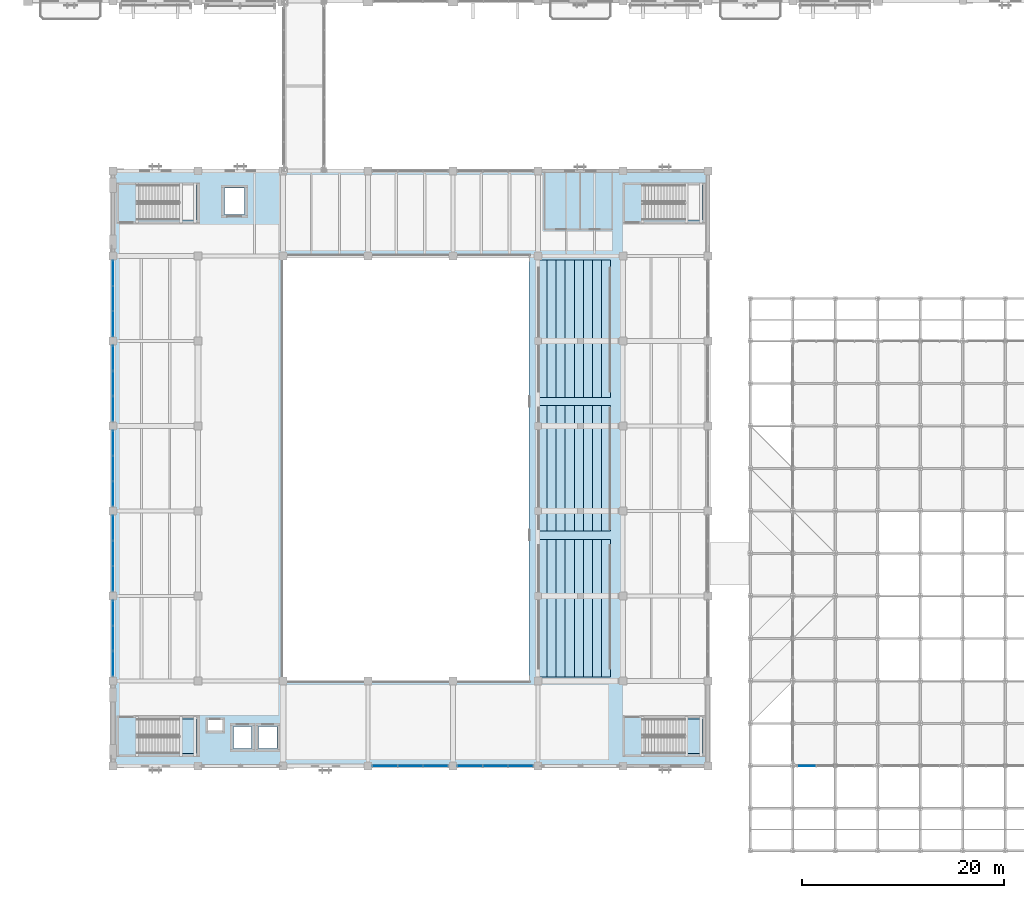
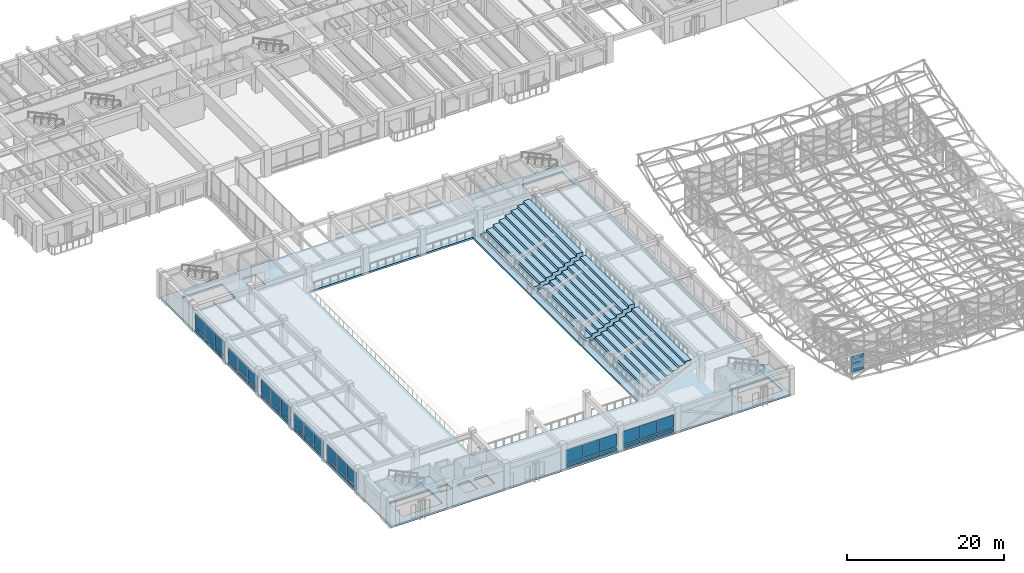
# One storey, part 61 of 132: 43 plates, 6 slabs, 10 elements without a shape of their own.
"""IFC4 building model written with IfcOpenShell, lengths in metres."""

from ifc_helpers import new_model, si_unit, direction, frame, origin, origin_2d, place, context, subcontext, project, spatial, polyline, rectangle, outline, extrude, material, layer, layer_set, type_object, element, aggregate, save


model = new_model("IFC4")

# Units and contexts
model_context = context("Model", 3, precision=1e-05, world=origin(), true_north=direction((0.0, 1.0)))
body_context = subcontext(model_context, "Body", "Model", "MODEL_VIEW")
ifc_project = project(units=[si_unit("LENGTHUNIT", "METRE"), si_unit("AREAUNIT", "SQUARE_METRE"), si_unit("VOLUMEUNIT", "CUBIC_METRE"), si_unit("PLANEANGLEUNIT", "RADIAN"), si_unit("MASSUNIT", "GRAM", prefix="KILO")], contexts=[model_context])

# Site, building, storey
site_placement = place(None, origin())
site = spatial("IfcSite", under=ifc_project, at=site_placement, CompositionType="ELEMENT")
building_placement = place(site_placement, origin())
building = spatial("IfcBuilding", under=site, at=building_placement, Name="Cumbredor Promenade Congress Hotel", CompositionType="ELEMENT")
storey_placement = place(building_placement, frame((0.0, 0.0, 7.56005859375)))
storey = spatial("IfcBuildingStorey", under=building, at=storey_placement, Name="L02", CompositionType="ELEMENT", Elevation=7.56005859375)

# Curtain wall, plate
ifc_material_1 = material(Name="Thermally broken anodized aluminium and low-E glass", Category="aluminium")
curtain_wall_type_1 = type_object("IfcCurtainWallType", Name="Stepped Pavilion Clerestory Curtain Wall CW-06", PredefinedType="NOTDEFINED", material=ifc_material_1)
curtain_wall_1_placement = place(storey_placement, origin())
curtain_wall_1 = element("IfcCurtainWall", 1, at=curtain_wall_1_placement, inside=storey, type_object=curtain_wall_type_1, Name="Thermal Spa and Hydrotherapy Pavilion S Glazed Clerestory 1", PredefinedType="NOTDEFINED")
ifc_material_2 = material(Name="Laminated low-E solar-control glass", Category="glass")
ifc_layer_1 = layer(ifc_material_2, 0.031982421875, Name="Laminated low-E solar-control glass", Category="glass")
ifc_layer_set_1 = layer_set([ifc_layer_1], Name="Laminated low-E solar-control glass")
plate_type_1 = type_object("IfcPlateType", Name="Clerestory Glazed Vision Panel PNL-07", PredefinedType="CURTAIN_PANEL", material=ifc_layer_set_1)
plate_1_placement = place(storey_placement, frame((76.969970703125, 8.39990234375, 0.169921875), z_axis=(0.0, 0.0, 1.0), x_axis=(1.0, 0.0, 0.0)))
plate_1 = element("IfcPlate", 2, at=plate_1_placement, type_object=plate_type_1, Name="Thermal Spa and Hydrotherapy Pavilion S Glazed Clerestory 1 Glazing Panel 1.1", PredefinedType="CURTAIN_PANEL", context=body_context, shape_type="SweptSolid", body=[
    extrude(rectangle(XDim=1.77490234375, YDim=0.031982421875, at=origin_2d()), origin(), (0.0, 0.0, 1.0), 2.489990234375),
])
aggregate(curtain_wall_1, [plate_1])

# Stair, slab
ifc_material_3 = material(Name="Concrete C40/50", Category="concrete")
stair_type = type_object("IfcStairType", Name="Protected Dog-Leg Exit Stair ST-T3 1650mm", PredefinedType="HALF_TURN_STAIR", material=ifc_material_3)
stair_1_placement = place(storey_placement, origin())
stair_1 = element("IfcStair", 3, at=stair_1_placement, inside=storey, type_object=stair_type, Name="L02 Protected Exit Stair ST-04", PredefinedType="HALF_TURN_STAIR")
ifc_layer_2 = layer(ifc_material_3, 0.199951171875, Name="Concrete C40/50", Category="concrete")
ifc_layer_set_2 = layer_set([ifc_layer_2], Name="Concrete C40/50")
slab_type_1 = type_object("IfcSlabType", Name="Concrete Stair Landing Slab 200mm", PredefinedType="LANDING", material=ifc_layer_set_2)
slab_1_placement = place(storey_placement, frame((0.0, 0.0, 1.89990234375)))
slab_1 = element("IfcSlab", 4, at=slab_1_placement, type_object=slab_type_1, Name="ST-04 landing 1", PredefinedType="LANDING", context=body_context, shape_type="SweptSolid", body=[
    extrude(outline(polyline([(14.949951171875, 9.60009765625), (16.64990234375, 9.60009765625), (16.64990234375, 13.050048828125), (14.949951171875, 13.050048828125), (14.949951171875, 9.60009765625)])), origin(), (0.0, 0.0, 1.0), 0.199951171875),
])
aggregate(stair_1, [slab_1])

stair_2_placement = place(storey_placement, origin())
stair_2 = element("IfcStair", 5, at=stair_2_placement, inside=storey, type_object=stair_type, Name="L02 Protected Exit Stair ST-05", PredefinedType="HALF_TURN_STAIR")
slab_2_placement = place(storey_placement, frame((0.0, 0.0, 1.89990234375)))
slab_2 = element("IfcSlab", 6, at=slab_2_placement, type_object=slab_type_1, Name="ST-05 landing 1", PredefinedType="LANDING", context=body_context, shape_type="SweptSolid", body=[
    extrude(outline(polyline([(64.949951171875, 9.60009765625), (66.64990234375, 9.60009765625), (66.64990234375, 13.050048828125), (64.949951171875, 13.050048828125), (64.949951171875, 9.60009765625)])), origin(), (0.0, 0.0, 1.0), 0.199951171875),
])
aggregate(stair_2, [slab_2])

# Slab
ifc_layer_3 = layer(ifc_material_3, 0.280029296875, Name="Concrete C40/50", Category="concrete")
ifc_layer_set_3 = layer_set([ifc_layer_3], Name="Concrete C40/50")
slab_type_2 = type_object("IfcSlabType", Name="Gallery Floor Slab 280mm", PredefinedType="FLOOR", material=ifc_layer_set_3)
slab_3_placement = place(storey_placement, frame((0.0, 0.0, -0.280029296875)))
element("IfcSlab", 7, at=slab_3_placement, inside=storey, type_object=slab_type_2, Name="L02 Plenary Congress Hall Floor Slab", PredefinedType="FLOOR", context=body_context, shape_type="SweptSolid", body=[
    extrude(outline(polyline([(8.39990234375, 8.39990234375), (67.199951171875, 8.39990234375), (67.199951171875, 67.199951171875), (8.39990234375, 67.199951171875), (8.39990234375, 8.39990234375)]), holes=[polyline([(10.75, 9.60009765625), (16.64990234375, 9.60009765625), (16.64990234375, 13.050048828125), (10.75, 13.050048828125), (10.75, 9.60009765625)]), polyline([(60.75, 9.60009765625), (66.64990234375, 9.60009765625), (66.64990234375, 13.050048828125), (60.75, 13.050048828125), (60.75, 9.60009765625)]), polyline([(10.75, 62.35009765625), (16.64990234375, 62.35009765625), (16.64990234375, 65.800048828125), (10.75, 65.800048828125), (10.75, 62.35009765625)]), polyline([(60.75, 62.35009765625), (66.64990234375, 62.35009765625), (66.64990234375, 65.800048828125), (60.75, 65.800048828125), (60.75, 62.35009765625)]), polyline([(20.300048828125, 10.10009765625), (22.10009765625, 10.10009765625), (22.10009765625, 12.300048828125), (20.300048828125, 12.300048828125), (20.300048828125, 10.10009765625)]), polyline([(22.800048828125, 10.10009765625), (24.60009765625, 10.10009765625), (24.60009765625, 12.300048828125), (22.800048828125, 12.300048828125), (22.800048828125, 10.10009765625)]), polyline([(19.39990234375, 62.89990234375), (21.39990234375, 62.89990234375), (21.39990234375, 65.5), (19.39990234375, 65.5), (19.39990234375, 62.89990234375)]), polyline([(17.699951171875, 11.800048828125), (19.300048828125, 11.800048828125), (19.300048828125, 13.0), (17.699951171875, 13.0), (17.699951171875, 11.800048828125)]), polyline([(25.199951171875, 16.800048828125), (49.5, 16.800048828125), (49.5, 58.800048828125), (25.199951171875, 58.800048828125), (25.199951171875, 16.800048828125)])]), origin(), (0.0, 0.0, 1.0), 0.280029296875),
])

# Curtain wall, plates
curtain_wall_type_2 = type_object("IfcCurtainWallType", Name="Unitised Bronze Curtain Wall CW-01", PredefinedType="NOTDEFINED", material=ifc_material_1)
curtain_wall_2_placement = place(storey_placement, origin())
curtain_wall_2 = element("IfcCurtainWall", 8, at=curtain_wall_2_placement, inside=storey, type_object=curtain_wall_type_2, Name="L02 Plenary Congress Hall West Curtain Wall 3", PredefinedType="NOTDEFINED")
ifc_layer_4 = layer(ifc_material_2, 0.028076171875, Name="Laminated low-E solar-control glass", Category="glass")
ifc_layer_set_4 = layer_set([ifc_layer_4], Name="Laminated low-E solar-control glass")
plate_type_2 = type_object("IfcPlateType", Name="Glazed Vision Panel PNL-01", PredefinedType="CURTAIN_PANEL", material=ifc_layer_set_4)
plate_2_placement = place(storey_placement, frame((8.39990234375, 26.9033203125, 0.784912109375), z_axis=(0.0, 0.0, 1.0), x_axis=(0.0, 1.0, 0.0)))
plate_2 = element("IfcPlate", 9, at=plate_2_placement, type_object=plate_type_2, Name="L02 Plenary Congress Hall West Curtain Wall 3 Glazing Panel 1.2", PredefinedType="CURTAIN_PANEL", context=body_context, shape_type="SweptSolid", body=[
    extrude(rectangle(XDim=2.431640625, YDim=0.028076171875, at=origin_2d()), origin(), (0.0, 0.0, 1.0), 1.919921875),
])
plate_3_placement = place(storey_placement, frame((8.39990234375, 29.39990234375, 0.784912109375), z_axis=(0.0, 0.0, 1.0), x_axis=(0.0, 1.0, 0.0)))
plate_3 = element("IfcPlate", 10, at=plate_3_placement, type_object=plate_type_2, Name="L02 Plenary Congress Hall West Curtain Wall 3 Glazing Panel 2.2", PredefinedType="CURTAIN_PANEL", context=body_context, shape_type="SweptSolid", body=[
    extrude(rectangle(XDim=2.431640625, YDim=0.028076171875, at=origin_2d()), origin(), (0.0, 0.0, 1.0), 1.919921875),
])
plate_4_placement = place(storey_placement, frame((8.39990234375, 31.896728515625, 0.784912109375), z_axis=(0.0, 0.0, 1.0), x_axis=(0.0, 1.0, 0.0)))
plate_4 = element("IfcPlate", 11, at=plate_4_placement, type_object=plate_type_2, Name="L02 Plenary Congress Hall West Curtain Wall 3 Glazing Panel 3.2", PredefinedType="CURTAIN_PANEL", context=body_context, shape_type="SweptSolid", body=[
    extrude(rectangle(XDim=2.431640625, YDim=0.028076171875, at=origin_2d()), origin(), (0.0, 0.0, 1.0), 1.919921875),
])

curtain_wall_3_placement = place(storey_placement, origin())
curtain_wall_3 = element("IfcCurtainWall", 12, at=curtain_wall_3_placement, inside=storey, type_object=curtain_wall_type_2, Name="L02 Plenary Congress Hall West Curtain Wall 6", PredefinedType="NOTDEFINED")
plate_5_placement = place(storey_placement, frame((8.39990234375, 52.103515625, 0.784912109375), z_axis=(0.0, 0.0, 1.0), x_axis=(0.0, 1.0, 0.0)))
plate_5 = element("IfcPlate", 13, at=plate_5_placement, type_object=plate_type_2, Name="L02 Plenary Congress Hall West Curtain Wall 6 Glazing Panel 1.2", PredefinedType="CURTAIN_PANEL", context=body_context, shape_type="SweptSolid", body=[
    extrude(rectangle(XDim=2.431640625, YDim=0.028076171875, at=origin_2d()), origin(), (0.0, 0.0, 1.0), 2.1201171875),
])
plate_6_placement = place(storey_placement, frame((8.39990234375, 54.60009765625, 0.784912109375), z_axis=(0.0, 0.0, 1.0), x_axis=(0.0, 1.0, 0.0)))
plate_6 = element("IfcPlate", 14, at=plate_6_placement, type_object=plate_type_2, Name="L02 Plenary Congress Hall West Curtain Wall 6 Glazing Panel 2.2", PredefinedType="CURTAIN_PANEL", context=body_context, shape_type="SweptSolid", body=[
    extrude(rectangle(XDim=2.431640625, YDim=0.028076171875, at=origin_2d()), origin(), (0.0, 0.0, 1.0), 2.1201171875),
])
plate_7_placement = place(storey_placement, frame((8.39990234375, 57.0966796875, 0.784912109375), z_axis=(0.0, 0.0, 1.0), x_axis=(0.0, 1.0, 0.0)))
plate_7 = element("IfcPlate", 15, at=plate_7_placement, type_object=plate_type_2, Name="L02 Plenary Congress Hall West Curtain Wall 6 Glazing Panel 3.2", PredefinedType="CURTAIN_PANEL", context=body_context, shape_type="SweptSolid", body=[
    extrude(rectangle(XDim=2.431640625, YDim=0.028076171875, at=origin_2d()), origin(), (0.0, 0.0, 1.0), 2.1201171875),
])

curtain_wall_4_placement = place(storey_placement, origin())
curtain_wall_4 = element("IfcCurtainWall", 16, at=curtain_wall_4_placement, inside=storey, type_object=curtain_wall_type_2, Name="L02 Plenary Congress Hall South Curtain Wall 4", PredefinedType="NOTDEFINED")
ifc_layer_5 = layer(ifc_material_2, 0.031982421875, Name="Laminated low-E solar-control glass", Category="glass")
ifc_layer_set_5 = layer_set([ifc_layer_5], Name="Laminated low-E solar-control glass")
plate_type_3 = type_object("IfcPlateType", Name="Glazed Vision Panel PNL-02", PredefinedType="CURTAIN_PANEL", material=ifc_layer_set_5)
plate_8_placement = place(storey_placement, frame((35.303466796875, 8.39990234375, 0.794921875), z_axis=(0.0, 0.0, 1.0), x_axis=(1.0, 0.0, 0.0)))
plate_8 = element("IfcPlate", 17, at=plate_8_placement, type_object=plate_type_3, Name="L02 Plenary Congress Hall South Curtain Wall 4 Glazing Panel 1.2", PredefinedType="CURTAIN_PANEL", context=body_context, shape_type="SweptSolid", body=[
    extrude(rectangle(XDim=2.421630859375, YDim=0.031982421875, at=origin_2d()), origin(), (0.0, 0.0, 1.0), 2.0400390625),
])
plate_9_placement = place(storey_placement, frame((37.800048828125, 8.39990234375, 0.794921875), z_axis=(0.0, 0.0, 1.0), x_axis=(1.0, 0.0, 0.0)))
plate_9 = element("IfcPlate", 18, at=plate_9_placement, type_object=plate_type_3, Name="L02 Plenary Congress Hall South Curtain Wall 4 Glazing Panel 2.2", PredefinedType="CURTAIN_PANEL", context=body_context, shape_type="SweptSolid", body=[
    extrude(rectangle(XDim=2.421630859375, YDim=0.031982421875, at=origin_2d()), origin(), (0.0, 0.0, 1.0), 2.0400390625),
])
plate_10_placement = place(storey_placement, frame((40.296630859375, 8.39990234375, 0.794921875), z_axis=(0.0, 0.0, 1.0), x_axis=(1.0, 0.0, 0.0)))
plate_10 = element("IfcPlate", 19, at=plate_10_placement, type_object=plate_type_3, Name="L02 Plenary Congress Hall South Curtain Wall 4 Glazing Panel 3.2", PredefinedType="CURTAIN_PANEL", context=body_context, shape_type="SweptSolid", body=[
    extrude(rectangle(XDim=2.421630859375, YDim=0.031982421875, at=origin_2d()), origin(), (0.0, 0.0, 1.0), 2.0400390625),
])

curtain_wall_5_placement = place(storey_placement, origin())
curtain_wall_5 = element("IfcCurtainWall", 20, at=curtain_wall_5_placement, inside=storey, type_object=curtain_wall_type_2, Name="L02 Plenary Congress Hall West Curtain Wall 4", PredefinedType="NOTDEFINED")
plate_11_placement = place(storey_placement, frame((8.39990234375, 35.303466796875, 0.794921875), z_axis=(0.0, 0.0, 1.0), x_axis=(0.0, 1.0, 0.0)))
plate_11 = element("IfcPlate", 21, at=plate_11_placement, type_object=plate_type_3, Name="L02 Plenary Congress Hall West Curtain Wall 4 Glazing Panel 1.2", PredefinedType="CURTAIN_PANEL", context=body_context, shape_type="SweptSolid", body=[
    extrude(rectangle(XDim=2.421630859375, YDim=0.031982421875, at=origin_2d()), origin(), (0.0, 0.0, 1.0), 2.090087890625),
])
plate_12_placement = place(storey_placement, frame((8.39990234375, 37.800048828125, 0.794921875), z_axis=(0.0, 0.0, 1.0), x_axis=(0.0, 1.0, 0.0)))
plate_12 = element("IfcPlate", 22, at=plate_12_placement, type_object=plate_type_3, Name="L02 Plenary Congress Hall West Curtain Wall 4 Glazing Panel 2.2", PredefinedType="CURTAIN_PANEL", context=body_context, shape_type="SweptSolid", body=[
    extrude(rectangle(XDim=2.421630859375, YDim=0.031982421875, at=origin_2d()), origin(), (0.0, 0.0, 1.0), 2.090087890625),
])
plate_13_placement = place(storey_placement, frame((8.39990234375, 40.296630859375, 0.794921875), z_axis=(0.0, 0.0, 1.0), x_axis=(0.0, 1.0, 0.0)))
plate_13 = element("IfcPlate", 23, at=plate_13_placement, type_object=plate_type_3, Name="L02 Plenary Congress Hall West Curtain Wall 4 Glazing Panel 3.2", PredefinedType="CURTAIN_PANEL", context=body_context, shape_type="SweptSolid", body=[
    extrude(rectangle(XDim=2.421630859375, YDim=0.031982421875, at=origin_2d()), origin(), (0.0, 0.0, 1.0), 2.090087890625),
])

curtain_wall_6_placement = place(storey_placement, origin())
curtain_wall_6 = element("IfcCurtainWall", 24, at=curtain_wall_6_placement, inside=storey, type_object=curtain_wall_type_2, Name="L02 Plenary Congress Hall South Curtain Wall 5", PredefinedType="NOTDEFINED")
ifc_layer_6 = layer(ifc_material_2, 0.028076171875, Name="Laminated low-E solar-control glass", Category="glass")
ifc_layer_set_6 = layer_set([ifc_layer_6], Name="Laminated low-E solar-control glass")
plate_type_4 = type_object("IfcPlateType", Name="Glazed Vision Panel PNL-03", PredefinedType="CURTAIN_PANEL", material=ifc_layer_set_6)
plate_14_placement = place(storey_placement, frame((43.703369140625, 8.39990234375, 0.81005859375), z_axis=(0.0, 0.0, 1.0), x_axis=(1.0, 0.0, 0.0)))
plate_14 = element("IfcPlate", 25, at=plate_14_placement, type_object=plate_type_4, Name="L02 Plenary Congress Hall South Curtain Wall 5 Glazing Panel 1.2", PredefinedType="CURTAIN_PANEL", context=body_context, shape_type="SweptSolid", body=[
    extrude(rectangle(XDim=2.416748046875, YDim=0.028076171875, at=origin_2d()), origin(), (0.0, 0.0, 1.0), 2.0),
])
plate_15_placement = place(storey_placement, frame((46.199951171875, 8.39990234375, 0.81005859375), z_axis=(0.0, 0.0, 1.0), x_axis=(1.0, 0.0, 0.0)))
plate_15 = element("IfcPlate", 26, at=plate_15_placement, type_object=plate_type_4, Name="L02 Plenary Congress Hall South Curtain Wall 5 Glazing Panel 2.2", PredefinedType="CURTAIN_PANEL", context=body_context, shape_type="SweptSolid", body=[
    extrude(rectangle(XDim=2.41650390625, YDim=0.028076171875, at=origin_2d()), origin(), (0.0, 0.0, 1.0), 2.0),
])
plate_16_placement = place(storey_placement, frame((48.69677734375, 8.39990234375, 0.81005859375), z_axis=(0.0, 0.0, 1.0), x_axis=(1.0, 0.0, 0.0)))
plate_16 = element("IfcPlate", 27, at=plate_16_placement, type_object=plate_type_4, Name="L02 Plenary Congress Hall South Curtain Wall 5 Glazing Panel 3.2", PredefinedType="CURTAIN_PANEL", context=body_context, shape_type="SweptSolid", body=[
    extrude(rectangle(XDim=2.416748046875, YDim=0.028076171875, at=origin_2d()), origin(), (0.0, 0.0, 1.0), 2.0),
])

curtain_wall_7_placement = place(storey_placement, origin())
curtain_wall_7 = element("IfcCurtainWall", 28, at=curtain_wall_7_placement, inside=storey, type_object=curtain_wall_type_2, Name="L02 Plenary Congress Hall West Curtain Wall 2", PredefinedType="NOTDEFINED")
plate_17_placement = place(storey_placement, frame((8.39990234375, 18.50341796875, 0.81005859375), z_axis=(0.0, 0.0, 1.0), x_axis=(0.0, 1.0, 0.0)))
plate_17 = element("IfcPlate", 29, at=plate_17_placement, type_object=plate_type_4, Name="L02 Plenary Congress Hall West Curtain Wall 2 Glazing Panel 1.2", PredefinedType="CURTAIN_PANEL", context=body_context, shape_type="SweptSolid", body=[
    extrude(rectangle(XDim=2.416748046875, YDim=0.028076171875, at=origin_2d()), origin(), (0.0, 0.0, 1.0), 2.050048828125),
])
plate_18_placement = place(storey_placement, frame((8.39990234375, 21.0, 0.81005859375), z_axis=(0.0, 0.0, 1.0), x_axis=(0.0, 1.0, 0.0)))
plate_18 = element("IfcPlate", 30, at=plate_18_placement, type_object=plate_type_4, Name="L02 Plenary Congress Hall West Curtain Wall 2 Glazing Panel 2.2", PredefinedType="CURTAIN_PANEL", context=body_context, shape_type="SweptSolid", body=[
    extrude(rectangle(XDim=2.41650390625, YDim=0.028076171875, at=origin_2d()), origin(), (0.0, 0.0, 1.0), 2.050048828125),
])
plate_19_placement = place(storey_placement, frame((8.39990234375, 23.49658203125, 0.81005859375), z_axis=(0.0, 0.0, 1.0), x_axis=(0.0, 1.0, 0.0)))
plate_19 = element("IfcPlate", 31, at=plate_19_placement, type_object=plate_type_4, Name="L02 Plenary Congress Hall West Curtain Wall 2 Glazing Panel 3.2", PredefinedType="CURTAIN_PANEL", context=body_context, shape_type="SweptSolid", body=[
    extrude(rectangle(XDim=2.416748046875, YDim=0.028076171875, at=origin_2d()), origin(), (0.0, 0.0, 1.0), 2.050048828125),
])

curtain_wall_8_placement = place(storey_placement, origin())
curtain_wall_8 = element("IfcCurtainWall", 32, at=curtain_wall_8_placement, inside=storey, type_object=curtain_wall_type_2, Name="L02 Plenary Congress Hall West Curtain Wall 5", PredefinedType="NOTDEFINED")
plate_20_placement = place(storey_placement, frame((8.39990234375, 43.703369140625, 0.81005859375), z_axis=(0.0, 0.0, 1.0), x_axis=(0.0, 1.0, 0.0)))
plate_20 = element("IfcPlate", 33, at=plate_20_placement, type_object=plate_type_4, Name="L02 Plenary Congress Hall West Curtain Wall 5 Glazing Panel 1.2", PredefinedType="CURTAIN_PANEL", context=body_context, shape_type="SweptSolid", body=[
    extrude(rectangle(XDim=2.416748046875, YDim=0.028076171875, at=origin_2d()), origin(), (0.0, 0.0, 1.0), 1.840087890625),
])
plate_21_placement = place(storey_placement, frame((8.39990234375, 46.199951171875, 0.81005859375), z_axis=(0.0, 0.0, 1.0), x_axis=(0.0, 1.0, 0.0)))
plate_21 = element("IfcPlate", 34, at=plate_21_placement, type_object=plate_type_4, Name="L02 Plenary Congress Hall West Curtain Wall 5 Glazing Panel 2.2", PredefinedType="CURTAIN_PANEL", context=body_context, shape_type="SweptSolid", body=[
    extrude(rectangle(XDim=2.41650390625, YDim=0.028076171875, at=origin_2d()), origin(), (0.0, 0.0, 1.0), 1.840087890625),
])
plate_22_placement = place(storey_placement, frame((8.39990234375, 48.69677734375, 0.81005859375), z_axis=(0.0, 0.0, 1.0), x_axis=(0.0, 1.0, 0.0)))
plate_22 = element("IfcPlate", 35, at=plate_22_placement, type_object=plate_type_4, Name="L02 Plenary Congress Hall West Curtain Wall 5 Glazing Panel 3.2", PredefinedType="CURTAIN_PANEL", context=body_context, shape_type="SweptSolid", body=[
    extrude(rectangle(XDim=2.416748046875, YDim=0.028076171875, at=origin_2d()), origin(), (0.0, 0.0, 1.0), 1.840087890625),
])

# Plate
ifc_material_4 = material(Name="Thermally broken anodized aluminium", Category="aluminium")
ifc_layer_7 = layer(ifc_material_4, 0.0400390625, Name="Thermally broken anodized aluminium", Category="aluminium")
ifc_layer_set_7 = layer_set([ifc_layer_7], Name="Thermally broken anodized aluminium")
plate_type_5 = type_object("IfcPlateType", Name="Insulated Spandrel Panel PNL-05", PredefinedType="CURTAIN_PANEL", material=ifc_layer_set_7)
plate_23_placement = place(storey_placement, frame((35.303466796875, 8.39990234375, 0.14501953125), z_axis=(0.0, 0.0, 1.0), x_axis=(1.0, 0.0, 0.0)))
plate_23 = element("IfcPlate", 36, at=plate_23_placement, type_object=plate_type_5, Name="L02 Plenary Congress Hall South Curtain Wall 4 Spandrel Panel 1.1", PredefinedType="CURTAIN_PANEL", context=body_context, shape_type="SweptSolid", body=[
    extrude(rectangle(XDim=2.421630859375, YDim=0.0400390625, at=origin_2d()), origin(), (0.0, 0.0, 1.0), 0.5),
])

plate_24_placement = place(storey_placement, frame((37.800048828125, 8.39990234375, 0.14501953125), z_axis=(0.0, 0.0, 1.0), x_axis=(1.0, 0.0, 0.0)))
plate_24 = element("IfcPlate", 37, at=plate_24_placement, type_object=plate_type_5, Name="L02 Plenary Congress Hall South Curtain Wall 4 Spandrel Panel 2.1", PredefinedType="CURTAIN_PANEL", context=body_context, shape_type="SweptSolid", body=[
    extrude(rectangle(XDim=2.421630859375, YDim=0.0400390625, at=origin_2d()), origin(), (0.0, 0.0, 1.0), 0.5),
])

plate_25_placement = place(storey_placement, frame((40.296630859375, 8.39990234375, 0.14501953125), z_axis=(0.0, 0.0, 1.0), x_axis=(1.0, 0.0, 0.0)))
plate_25 = element("IfcPlate", 38, at=plate_25_placement, type_object=plate_type_5, Name="L02 Plenary Congress Hall South Curtain Wall 4 Spandrel Panel 3.1", PredefinedType="CURTAIN_PANEL", context=body_context, shape_type="SweptSolid", body=[
    extrude(rectangle(XDim=2.421630859375, YDim=0.0400390625, at=origin_2d()), origin(), (0.0, 0.0, 1.0), 0.5),
])

aggregate(curtain_wall_4, [plate_23, plate_8, plate_24, plate_9, plate_25, plate_10])

plate_26_placement = place(storey_placement, frame((8.39990234375, 18.50341796875, 0.18017578125), z_axis=(0.0, 0.0, 1.0), x_axis=(0.0, 1.0, 0.0)))
plate_26 = element("IfcPlate", 39, at=plate_26_placement, type_object=plate_type_5, Name="L02 Plenary Congress Hall West Curtain Wall 2 Spandrel Panel 1.1", PredefinedType="CURTAIN_PANEL", context=body_context, shape_type="SweptSolid", body=[
    extrude(rectangle(XDim=2.416748046875, YDim=0.0400390625, at=origin_2d()), origin(), (0.0, 0.0, 1.0), 0.449951171875),
])

plate_27_placement = place(storey_placement, frame((8.39990234375, 21.0, 0.18017578125), z_axis=(0.0, 0.0, 1.0), x_axis=(0.0, 1.0, 0.0)))
plate_27 = element("IfcPlate", 40, at=plate_27_placement, type_object=plate_type_5, Name="L02 Plenary Congress Hall West Curtain Wall 2 Spandrel Panel 2.1", PredefinedType="CURTAIN_PANEL", context=body_context, shape_type="SweptSolid", body=[
    extrude(rectangle(XDim=2.41650390625, YDim=0.0400390625, at=origin_2d()), origin(), (0.0, 0.0, 1.0), 0.449951171875),
])

plate_28_placement = place(storey_placement, frame((8.39990234375, 23.49658203125, 0.18017578125), z_axis=(0.0, 0.0, 1.0), x_axis=(0.0, 1.0, 0.0)))
plate_28 = element("IfcPlate", 41, at=plate_28_placement, type_object=plate_type_5, Name="L02 Plenary Congress Hall West Curtain Wall 2 Spandrel Panel 3.1", PredefinedType="CURTAIN_PANEL", context=body_context, shape_type="SweptSolid", body=[
    extrude(rectangle(XDim=2.416748046875, YDim=0.0400390625, at=origin_2d()), origin(), (0.0, 0.0, 1.0), 0.449951171875),
])

aggregate(curtain_wall_7, [plate_26, plate_17, plate_27, plate_18, plate_28, plate_19])

plate_29_placement = place(storey_placement, frame((8.39990234375, 35.303466796875, 0.14501953125), z_axis=(0.0, 0.0, 1.0), x_axis=(0.0, 1.0, 0.0)))
plate_29 = element("IfcPlate", 42, at=plate_29_placement, type_object=plate_type_5, Name="L02 Plenary Congress Hall West Curtain Wall 4 Spandrel Panel 1.1", PredefinedType="CURTAIN_PANEL", context=body_context, shape_type="SweptSolid", body=[
    extrude(rectangle(XDim=2.421630859375, YDim=0.0400390625, at=origin_2d()), origin(), (0.0, 0.0, 1.0), 0.5),
])

plate_30_placement = place(storey_placement, frame((8.39990234375, 37.800048828125, 0.14501953125), z_axis=(0.0, 0.0, 1.0), x_axis=(0.0, 1.0, 0.0)))
plate_30 = element("IfcPlate", 43, at=plate_30_placement, type_object=plate_type_5, Name="L02 Plenary Congress Hall West Curtain Wall 4 Spandrel Panel 2.1", PredefinedType="CURTAIN_PANEL", context=body_context, shape_type="SweptSolid", body=[
    extrude(rectangle(XDim=2.421630859375, YDim=0.0400390625, at=origin_2d()), origin(), (0.0, 0.0, 1.0), 0.5),
])

plate_31_placement = place(storey_placement, frame((8.39990234375, 40.296630859375, 0.14501953125), z_axis=(0.0, 0.0, 1.0), x_axis=(0.0, 1.0, 0.0)))
plate_31 = element("IfcPlate", 44, at=plate_31_placement, type_object=plate_type_5, Name="L02 Plenary Congress Hall West Curtain Wall 4 Spandrel Panel 3.1", PredefinedType="CURTAIN_PANEL", context=body_context, shape_type="SweptSolid", body=[
    extrude(rectangle(XDim=2.421630859375, YDim=0.0400390625, at=origin_2d()), origin(), (0.0, 0.0, 1.0), 0.5),
])

aggregate(curtain_wall_5, [plate_29, plate_11, plate_30, plate_12, plate_31, plate_13])

plate_32_placement = place(storey_placement, frame((8.39990234375, 52.103515625, 0.125), z_axis=(0.0, 0.0, 1.0), x_axis=(0.0, 1.0, 0.0)))
plate_32 = element("IfcPlate", 45, at=plate_32_placement, type_object=plate_type_5, Name="L02 Plenary Congress Hall West Curtain Wall 6 Spandrel Panel 1.1", PredefinedType="CURTAIN_PANEL", context=body_context, shape_type="SweptSolid", body=[
    extrude(rectangle(XDim=2.431640625, YDim=0.0400390625, at=origin_2d()), origin(), (0.0, 0.0, 1.0), 0.530029296875),
])

plate_33_placement = place(storey_placement, frame((8.39990234375, 54.60009765625, 0.125), z_axis=(0.0, 0.0, 1.0), x_axis=(0.0, 1.0, 0.0)))
plate_33 = element("IfcPlate", 46, at=plate_33_placement, type_object=plate_type_5, Name="L02 Plenary Congress Hall West Curtain Wall 6 Spandrel Panel 2.1", PredefinedType="CURTAIN_PANEL", context=body_context, shape_type="SweptSolid", body=[
    extrude(rectangle(XDim=2.431640625, YDim=0.0400390625, at=origin_2d()), origin(), (0.0, 0.0, 1.0), 0.530029296875),
])

plate_34_placement = place(storey_placement, frame((8.39990234375, 57.0966796875, 0.125), z_axis=(0.0, 0.0, 1.0), x_axis=(0.0, 1.0, 0.0)))
plate_34 = element("IfcPlate", 47, at=plate_34_placement, type_object=plate_type_5, Name="L02 Plenary Congress Hall West Curtain Wall 6 Spandrel Panel 3.1", PredefinedType="CURTAIN_PANEL", context=body_context, shape_type="SweptSolid", body=[
    extrude(rectangle(XDim=2.431640625, YDim=0.0400390625, at=origin_2d()), origin(), (0.0, 0.0, 1.0), 0.530029296875),
])

aggregate(curtain_wall_3, [plate_32, plate_5, plate_33, plate_6, plate_34, plate_7])

ifc_layer_8 = layer(ifc_material_4, 0.0400390625, Name="Thermally broken anodized aluminium", Category="aluminium")
ifc_layer_set_8 = layer_set([ifc_layer_8], Name="Thermally broken anodized aluminium")
plate_type_6 = type_object("IfcPlateType", Name="Insulated Spandrel Panel PNL-06", PredefinedType="CURTAIN_PANEL", material=ifc_layer_set_8)
plate_35_placement = place(storey_placement, frame((43.703369140625, 8.39990234375, 0.18017578125), z_axis=(0.0, 0.0, 1.0), x_axis=(1.0, 0.0, 0.0)))
plate_35 = element("IfcPlate", 48, at=plate_35_placement, type_object=plate_type_6, Name="L02 Plenary Congress Hall South Curtain Wall 5 Spandrel Panel 1.1", PredefinedType="CURTAIN_PANEL", context=body_context, shape_type="SweptSolid", body=[
    extrude(rectangle(XDim=2.416748046875, YDim=0.0400390625, at=origin_2d()), origin(), (0.0, 0.0, 1.0), 0.449951171875),
])

plate_36_placement = place(storey_placement, frame((46.199951171875, 8.39990234375, 0.18017578125), z_axis=(0.0, 0.0, 1.0), x_axis=(1.0, 0.0, 0.0)))
plate_36 = element("IfcPlate", 49, at=plate_36_placement, type_object=plate_type_6, Name="L02 Plenary Congress Hall South Curtain Wall 5 Spandrel Panel 2.1", PredefinedType="CURTAIN_PANEL", context=body_context, shape_type="SweptSolid", body=[
    extrude(rectangle(XDim=2.41650390625, YDim=0.0400390625, at=origin_2d()), origin(), (0.0, 0.0, 1.0), 0.449951171875),
])

plate_37_placement = place(storey_placement, frame((48.69677734375, 8.39990234375, 0.18017578125), z_axis=(0.0, 0.0, 1.0), x_axis=(1.0, 0.0, 0.0)))
plate_37 = element("IfcPlate", 50, at=plate_37_placement, type_object=plate_type_6, Name="L02 Plenary Congress Hall South Curtain Wall 5 Spandrel Panel 3.1", PredefinedType="CURTAIN_PANEL", context=body_context, shape_type="SweptSolid", body=[
    extrude(rectangle(XDim=2.416748046875, YDim=0.0400390625, at=origin_2d()), origin(), (0.0, 0.0, 1.0), 0.449951171875),
])

aggregate(curtain_wall_6, [plate_35, plate_14, plate_36, plate_15, plate_37, plate_16])

plate_38_placement = place(storey_placement, frame((8.39990234375, 26.9033203125, 0.125), z_axis=(0.0, 0.0, 1.0), x_axis=(0.0, 1.0, 0.0)))
plate_38 = element("IfcPlate", 51, at=plate_38_placement, type_object=plate_type_6, Name="L02 Plenary Congress Hall West Curtain Wall 3 Spandrel Panel 1.1", PredefinedType="CURTAIN_PANEL", context=body_context, shape_type="SweptSolid", body=[
    extrude(rectangle(XDim=2.431640625, YDim=0.0400390625, at=origin_2d()), origin(), (0.0, 0.0, 1.0), 0.530029296875),
])

plate_39_placement = place(storey_placement, frame((8.39990234375, 29.39990234375, 0.125), z_axis=(0.0, 0.0, 1.0), x_axis=(0.0, 1.0, 0.0)))
plate_39 = element("IfcPlate", 52, at=plate_39_placement, type_object=plate_type_6, Name="L02 Plenary Congress Hall West Curtain Wall 3 Spandrel Panel 2.1", PredefinedType="CURTAIN_PANEL", context=body_context, shape_type="SweptSolid", body=[
    extrude(rectangle(XDim=2.431640625, YDim=0.0400390625, at=origin_2d()), origin(), (0.0, 0.0, 1.0), 0.530029296875),
])

plate_40_placement = place(storey_placement, frame((8.39990234375, 31.896728515625, 0.125), z_axis=(0.0, 0.0, 1.0), x_axis=(0.0, 1.0, 0.0)))
plate_40 = element("IfcPlate", 53, at=plate_40_placement, type_object=plate_type_6, Name="L02 Plenary Congress Hall West Curtain Wall 3 Spandrel Panel 3.1", PredefinedType="CURTAIN_PANEL", context=body_context, shape_type="SweptSolid", body=[
    extrude(rectangle(XDim=2.431640625, YDim=0.0400390625, at=origin_2d()), origin(), (0.0, 0.0, 1.0), 0.530029296875),
])

aggregate(curtain_wall_2, [plate_38, plate_2, plate_39, plate_3, plate_40, plate_4])

plate_41_placement = place(storey_placement, frame((8.39990234375, 43.703369140625, 0.18017578125), z_axis=(0.0, 0.0, 1.0), x_axis=(0.0, 1.0, 0.0)))
plate_41 = element("IfcPlate", 54, at=plate_41_placement, type_object=plate_type_6, Name="L02 Plenary Congress Hall West Curtain Wall 5 Spandrel Panel 1.1", PredefinedType="CURTAIN_PANEL", context=body_context, shape_type="SweptSolid", body=[
    extrude(rectangle(XDim=2.416748046875, YDim=0.0400390625, at=origin_2d()), origin(), (0.0, 0.0, 1.0), 0.449951171875),
])

plate_42_placement = place(storey_placement, frame((8.39990234375, 46.199951171875, 0.18017578125), z_axis=(0.0, 0.0, 1.0), x_axis=(0.0, 1.0, 0.0)))
plate_42 = element("IfcPlate", 55, at=plate_42_placement, type_object=plate_type_6, Name="L02 Plenary Congress Hall West Curtain Wall 5 Spandrel Panel 2.1", PredefinedType="CURTAIN_PANEL", context=body_context, shape_type="SweptSolid", body=[
    extrude(rectangle(XDim=2.41650390625, YDim=0.0400390625, at=origin_2d()), origin(), (0.0, 0.0, 1.0), 0.449951171875),
])

plate_43_placement = place(storey_placement, frame((8.39990234375, 48.69677734375, 0.18017578125), z_axis=(0.0, 0.0, 1.0), x_axis=(0.0, 1.0, 0.0)))
plate_43 = element("IfcPlate", 56, at=plate_43_placement, type_object=plate_type_6, Name="L02 Plenary Congress Hall West Curtain Wall 5 Spandrel Panel 3.1", PredefinedType="CURTAIN_PANEL", context=body_context, shape_type="SweptSolid", body=[
    extrude(rectangle(XDim=2.416748046875, YDim=0.0400390625, at=origin_2d()), origin(), (0.0, 0.0, 1.0), 0.449951171875),
])

aggregate(curtain_wall_8, [plate_41, plate_20, plate_42, plate_21, plate_43, plate_22])

# Slabs
ifc_layer_9 = layer(ifc_material_3, 0.300048828125, Name="Concrete C40/50", Category="concrete")
ifc_layer_set_9 = layer_set([ifc_layer_9], Name="Concrete C40/50")
slab_type_3 = type_object("IfcSlabType", Name="Plenary Upper Seating Tier Slab", PredefinedType="USERDEFINED", material=ifc_layer_set_9)
slab_4_placement = place(storey_placement, frame((50.39990234375, 24.0, 0.0), z_axis=(0.0, 0.0, 1.0), x_axis=(1.0, 0.0, 0.0)))
element("IfcSlab", 57, at=slab_4_placement, inside=storey, type_object=slab_type_3, Name="Stand Upper Balcony Tier Bay 1", ObjectType="SEATING TIER", PredefinedType="USERDEFINED", context=body_context, shape_type="SweptSolid", body=[
    extrude(outline(polyline([(0.0, 0.0), (0.0, 0.419921875), (0.89990234375, 0.419921875), (0.89990234375, 0.840087890625), (1.800048828125, 0.840087890625), (1.800048828125, 1.260009765625), (2.699951171875, 1.260009765625), (2.699951171875, 1.679931640625), (3.60009765625, 1.679931640625), (3.60009765625, 2.10009765625), (4.5, 2.10009765625), (4.5, 2.52001953125), (5.39990234375, 2.52001953125), (5.39990234375, 2.93994140625), (6.300048828125, 2.93994140625), (6.300048828125, 3.360107421875), (7.199951171875, 3.360107421875), (7.199951171875, 2.60888671875), (1.609619140625, 0.0), (0.0, 0.0)])), frame((0.0, 6.800048828125, 0.0), z_axis=(0.0, -1.0, 0.0), x_axis=(1.0, 0.0, 0.0)), (0.0, 0.0, 1.0), 13.60009765625),
])
slab_5_placement = place(storey_placement, frame((50.39990234375, 37.800048828125, 0.0), z_axis=(0.0, 0.0, 1.0), x_axis=(1.0, 0.0, 0.0)))
element("IfcSlab", 58, at=slab_5_placement, inside=storey, type_object=slab_type_3, Name="Stand Upper Balcony Tier Bay 2", ObjectType="SEATING TIER", PredefinedType="USERDEFINED", context=body_context, shape_type="SweptSolid", body=[
    extrude(outline(polyline([(0.0, 0.0), (0.0, 0.419921875), (0.89990234375, 0.419921875), (0.89990234375, 0.840087890625), (1.800048828125, 0.840087890625), (1.800048828125, 1.260009765625), (2.699951171875, 1.260009765625), (2.699951171875, 1.679931640625), (3.60009765625, 1.679931640625), (3.60009765625, 2.10009765625), (4.5, 2.10009765625), (4.5, 2.52001953125), (5.39990234375, 2.52001953125), (5.39990234375, 2.93994140625), (6.300048828125, 2.93994140625), (6.300048828125, 3.360107421875), (7.199951171875, 3.360107421875), (7.199951171875, 2.60888671875), (1.609619140625, 0.0), (0.0, 0.0)])), frame((0.0, 6.199951171875, 0.0), z_axis=(0.0, -1.0, 0.0), x_axis=(1.0, 0.0, 0.0)), (0.0, 0.0, 1.0), 12.39990234375),
])
slab_6_placement = place(storey_placement, frame((50.39990234375, 51.60009765625, 0.0), z_axis=(0.0, 0.0, 1.0), x_axis=(1.0, 0.0, 0.0)))
element("IfcSlab", 59, at=slab_6_placement, inside=storey, type_object=slab_type_3, Name="Stand Upper Balcony Tier Bay 3", ObjectType="SEATING TIER", PredefinedType="USERDEFINED", context=body_context, shape_type="SweptSolid", body=[
    extrude(outline(polyline([(0.0, 0.0), (0.0, 0.419921875), (0.89990234375, 0.419921875), (0.89990234375, 0.840087890625), (1.800048828125, 0.840087890625), (1.800048828125, 1.260009765625), (2.699951171875, 1.260009765625), (2.699951171875, 1.679931640625), (3.60009765625, 1.679931640625), (3.60009765625, 2.10009765625), (4.5, 2.10009765625), (4.5, 2.52001953125), (5.39990234375, 2.52001953125), (5.39990234375, 2.93994140625), (6.300048828125, 2.93994140625), (6.300048828125, 3.360107421875), (7.199951171875, 3.360107421875), (7.199951171875, 2.60888671875), (1.609619140625, 0.0), (0.0, 0.0)])), frame((0.0, 6.800048828125, 0.0), z_axis=(0.0, -1.0, 0.0), x_axis=(1.0, 0.0, 0.0)), (0.0, 0.0, 1.0), 13.60009765625),
])

save(model, "model.ifc")
